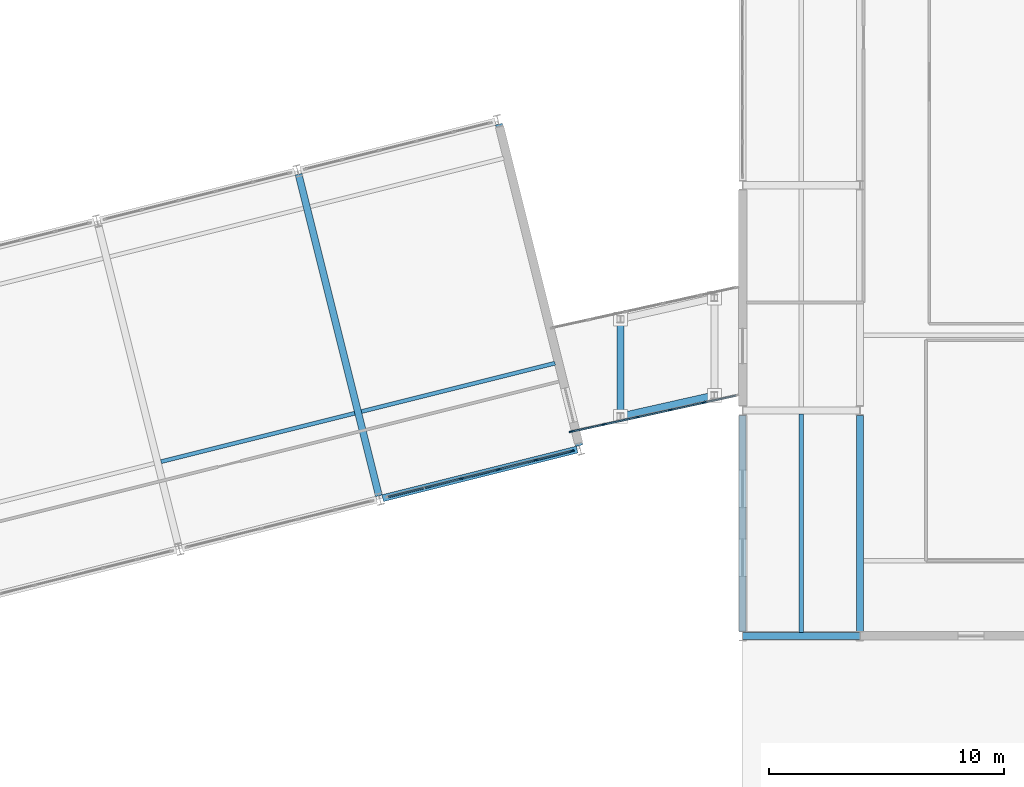
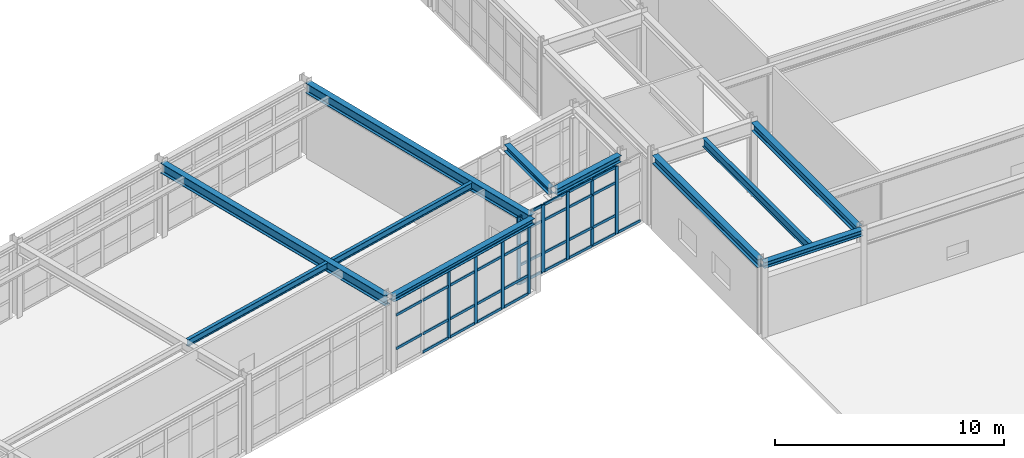
# One storey, part 23 of 88: 45 members, 11 beams, 2 elements without a shape of their own.
"""IFC4 building model written with IfcOpenShell, lengths in metres."""

from ifc_helpers import new_model, si_unit, direction, frame, origin, origin_2d, place, context, subcontext, project, spatial, rectangle, i_section, extrude, material, layer, layer_set, material_profile, profile_set, type_object, element, aggregate, save


model = new_model("IFC4")

# Units and contexts
model_context = context("Model", 3, precision=1e-05, world=origin(), true_north=direction((0.0, 1.0)))
body_context = subcontext(model_context, "Body", "Model", "MODEL_VIEW")
ifc_project = project(units=[si_unit("LENGTHUNIT", "METRE"), si_unit("AREAUNIT", "SQUARE_METRE"), si_unit("VOLUMEUNIT", "CUBIC_METRE"), si_unit("PLANEANGLEUNIT", "RADIAN"), si_unit("MASSUNIT", "GRAM", prefix="KILO")], contexts=[model_context])

# Site, building, storey
site_placement = place(None, origin())
site = spatial("IfcSite", under=ifc_project, at=site_placement, CompositionType="ELEMENT")
building_placement = place(site_placement, origin())
building = spatial("IfcBuilding", under=site, at=building_placement, Name="Nordkorset Police Headquarters", CompositionType="ELEMENT")
storey_placement = place(building_placement, frame((0.0, 0.0, 9.449951171875)))
storey = spatial("IfcBuildingStorey", under=building, at=storey_placement, Name="L02", CompositionType="ELEMENT", Elevation=9.449951171875)

# Beams
ifc_material_1 = material(Name="Steel S355J2", Category="steel")
ifc_material_profile_1 = material_profile(ifc_material_1, i_section(OverallWidth=0.169921875, OverallDepth=0.360107421875, WebThickness=0.008056640625, FlangeThickness=0.0126953125, FilletRadius=0.01806640625, at=origin_2d()), Name="IPE 360")
ifc_profile_set_1 = profile_set([ifc_material_profile_1], Name="Steel S355J2")
beam_type_1 = type_object("IfcBeamType", Name="Beam_IPE_360", PredefinedType="BEAM", material=ifc_profile_set_1)
for number, where, z_axis, x_axis, name in (
    (1, (61.629638671875, 55.42431640625, 3.7900390625), (0.970142500145, 0.242535625036, 0.0), (-0.242535625036, 0.970142500145, 0.0), "Splayed Wing Secondary Beam L02 4-1"),
    (2, (70.166748046875, 57.55859375, 3.7900390625), (0.970144189653, 0.242528866904, 0.0), (-0.242528866904, 0.970144189653, 0.0), "Splayed Wing Secondary Beam L02 5-1"),
):
    element("IfcBeam", number, at=place(storey_placement, frame(where, z_axis=z_axis, x_axis=x_axis)), inside=storey, type_object=beam_type_1, Name=name, PredefinedType="BEAM", context=body_context, shape_type="SweptSolid", body=[
        extrude(i_section(OverallWidth=0.169921875, OverallDepth=0.360107421875, WebThickness=0.008056640625, FlangeThickness=0.0126953125, FilletRadius=0.01806640625, at=origin_2d()), origin(), (0.0, 0.0, 1.0), 8.5),
    ])
ifc_material_2 = material(Name="Steel S355J2", Category="steel")
ifc_material_profile_2 = material_profile(ifc_material_2, i_section(OverallWidth=0.18994140625, OverallDepth=0.449951171875, WebThickness=0.009521484375, FlangeThickness=0.0146484375, FilletRadius=0.02099609375, at=origin_2d()), Name="IPE 450")
ifc_profile_set_2 = profile_set([ifc_material_profile_2], Name="Steel S355J2")
beam_type_2 = type_object("IfcBeamType", Name="Beam_IPE_450", PredefinedType="BEAM", material=ifc_profile_set_2)
beam_1_placement = place(storey_placement, frame((88.89990234375, 48.14990234375, 3.739990234375), z_axis=(0.0, 1.0, 0.0), x_axis=(-1.0, 0.0, 0.0)))
element("IfcBeam", 3, at=beam_1_placement, inside=storey, type_object=beam_type_2, Name="Composite Floor Beam V5 L02 0-0-1", PredefinedType="BEAM", context=body_context, shape_type="SweptSolid", body=[
    extrude(i_section(OverallWidth=0.18994140625, OverallDepth=0.449951171875, WebThickness=0.009521484375, FlangeThickness=0.0146484375, FilletRadius=0.02099609375, at=origin_2d()), origin(), (0.0, 0.0, 1.0), 9.300048828125),
])

# Curtain wall, members
ifc_material_3 = material(Name="Aluminium alloy AW-6060", Category="aluminium")
ifc_layer_1 = layer(ifc_material_3, 0.179931640625, Name="Aluminium alloy AW-6060")
ifc_layer_set_1 = layer_set([ifc_layer_1], Name="Aluminium alloy AW-6060")
curtain_wall_type_1 = type_object("IfcCurtainWallType", Name="CW_Unit_816x364", PredefinedType="USERDEFINED", material=ifc_layer_set_1)
curtain_wall_1_placement = place(storey_placement, origin())
curtain_wall_1 = element("IfcCurtainWall", 4, at=curtain_wall_1_placement, inside=storey, type_object=curtain_wall_type_1, Name="Unitised Curtain Wall L02 V4S-5", ObjectType="UNITISED CURTAIN WALL", PredefinedType="USERDEFINED")
ifc_material_4 = material(Name="Aluminium alloy AW-6060", Category="aluminium")
ifc_material_profile_3 = material_profile(ifc_material_4, rectangle(XDim=0.06494140625, YDim=0.179931640625, at=origin_2d()), Name="ALU MULL 65x180")
ifc_profile_set_3 = profile_set([ifc_material_profile_3], Name="Aluminium alloy AW-6060")
member_type_1 = type_object("IfcMemberType", Name="CW_Mullion_65x180", PredefinedType="MULLION", material=ifc_profile_set_3)
member_1_placement = place(storey_placement, frame((74.419921875, 54.705078125, 0.0), z_axis=(0.0, 0.0, 1.0), x_axis=(-0.242535625038, 0.970142500145, 0.0)))
member_1 = element("IfcMember", 5, at=member_1_placement, type_object=member_type_1, Name="CW-64 mullion 3", PredefinedType="MULLION", context=body_context, shape_type="SweptSolid", body=[
    extrude(rectangle(XDim=0.06494140625, YDim=0.179931640625, at=origin_2d()), origin(), (0.0, 0.0, 1.0), 3.64013671875),
])
member_2_placement = place(storey_placement, frame((76.003173828125, 55.100830078125, 0.0), z_axis=(0.0, 0.0, 1.0), x_axis=(-0.242535625038, 0.970142500145, 0.0)))
member_2 = element("IfcMember", 6, at=member_2_placement, type_object=member_type_1, Name="CW-64 mullion 4", PredefinedType="MULLION", context=body_context, shape_type="SweptSolid", body=[
    extrude(rectangle(XDim=0.06494140625, YDim=0.179931640625, at=origin_2d()), origin(), (0.0, 0.0, 1.0), 3.64013671875),
])
member_3_placement = place(storey_placement, frame((77.58642578125, 55.49658203125, 0.0), z_axis=(0.0, 0.0, 1.0), x_axis=(-0.242535625038, 0.970142500145, 0.0)))
member_3 = element("IfcMember", 7, at=member_3_placement, type_object=member_type_1, Name="CW-64 mullion 5", PredefinedType="MULLION", context=body_context, shape_type="SweptSolid", body=[
    extrude(rectangle(XDim=0.06494140625, YDim=0.179931640625, at=origin_2d()), origin(), (0.0, 0.0, 1.0), 3.64013671875),
])
member_4_placement = place(storey_placement, frame((79.13818359375, 55.884521484375, 0.0), z_axis=(0.0, 0.0, 1.0), x_axis=(-0.242535625038, 0.970142500145, 0.0)))
member_4 = element("IfcMember", 8, at=member_4_placement, type_object=member_type_1, Name="CW-64 mullion 6", PredefinedType="MULLION", context=body_context, shape_type="SweptSolid", body=[
    extrude(rectangle(XDim=0.06494140625, YDim=0.179931640625, at=origin_2d()), origin(), (0.0, 0.0, 1.0), 3.64013671875),
])

ifc_material_5 = material(Name="Aluminium alloy AW-6060", Category="aluminium")
ifc_layer_2 = layer(ifc_material_5, 0.179931640625, Name="Aluminium alloy AW-6060")
ifc_layer_set_2 = layer_set([ifc_layer_2], Name="Aluminium alloy AW-6060")
curtain_wall_type_2 = type_object("IfcCurtainWallType", Name="CW_Unit_727x360", PredefinedType="USERDEFINED", material=ifc_layer_set_2)
curtain_wall_2_placement = place(storey_placement, origin())
curtain_wall_2 = element("IfcCurtainWall", 9, at=curtain_wall_2_placement, inside=storey, type_object=curtain_wall_type_2, Name="Unitised Curtain Wall L02 BRGE-S", ObjectType="UNITISED CURTAIN WALL", PredefinedType="USERDEFINED")
member_5_placement = place(storey_placement, frame((79.107666015625, 56.705322265625, 0.0), z_axis=(0.0, 0.0, 1.0), x_axis=(-0.213736608425, 0.976891325695, 0.0)))
member_5 = element("IfcMember", 10, at=member_5_placement, type_object=member_type_1, Name="CW-22 mullion 1", PredefinedType="MULLION", context=body_context, shape_type="SweptSolid", body=[
    extrude(rectangle(XDim=0.06494140625, YDim=0.179931640625, at=origin_2d()), origin(), (0.0, 0.0, 1.0), 3.594970703125),
])
member_6_placement = place(storey_placement, frame((80.49560546875, 57.009033203125, 0.0), z_axis=(0.0, 0.0, 1.0), x_axis=(-0.213736608425, 0.976891325695, 0.0)))
member_6 = element("IfcMember", 11, at=member_6_placement, type_object=member_type_1, Name="CW-22 mullion 2", PredefinedType="MULLION", context=body_context, shape_type="SweptSolid", body=[
    extrude(rectangle(XDim=0.06494140625, YDim=0.179931640625, at=origin_2d()), origin(), (0.0, 0.0, 1.0), 3.594970703125),
])
member_7_placement = place(storey_placement, frame((81.915283203125, 57.319580078125, 0.0), z_axis=(0.0, 0.0, 1.0), x_axis=(-0.213736608425, 0.976891325695, 0.0)))
member_7 = element("IfcMember", 12, at=member_7_placement, type_object=member_type_1, Name="CW-22 mullion 3", PredefinedType="MULLION", context=body_context, shape_type="SweptSolid", body=[
    extrude(rectangle(XDim=0.06494140625, YDim=0.179931640625, at=origin_2d()), origin(), (0.0, 0.0, 1.0), 3.594970703125),
])
member_8_placement = place(storey_placement, frame((83.334716796875, 57.63037109375, 0.0), z_axis=(0.0, 0.0, 1.0), x_axis=(-0.213736608425, 0.976891325695, 0.0)))
member_8 = element("IfcMember", 13, at=member_8_placement, type_object=member_type_1, Name="CW-22 mullion 4", PredefinedType="MULLION", context=body_context, shape_type="SweptSolid", body=[
    extrude(rectangle(XDim=0.06494140625, YDim=0.179931640625, at=origin_2d()), origin(), (0.0, 0.0, 1.0), 3.594970703125),
])
member_9_placement = place(storey_placement, frame((84.75439453125, 57.94091796875, 0.0), z_axis=(0.0, 0.0, 1.0), x_axis=(-0.213736608425, 0.976891325695, 0.0)))
member_9 = element("IfcMember", 14, at=member_9_placement, type_object=member_type_1, Name="CW-22 mullion 5", PredefinedType="MULLION", context=body_context, shape_type="SweptSolid", body=[
    extrude(rectangle(XDim=0.06494140625, YDim=0.179931640625, at=origin_2d()), origin(), (0.0, 0.0, 1.0), 3.594970703125),
])

# Member
ifc_material_6 = material(Name="Aluminium alloy AW-6060", Category="aluminium")
ifc_material_profile_4 = material_profile(ifc_material_6, rectangle(XDim=0.06494140625, YDim=0.139892578125, at=origin_2d()), Name="ALU TRAN 65x140")
ifc_profile_set_4 = profile_set([ifc_material_profile_4], Name="Aluminium alloy AW-6060")
member_type_2 = type_object("IfcMemberType", Name="CW_Transom_65x140", PredefinedType="USERDEFINED", material=ifc_profile_set_4)
member_10_placement = place(storey_placement, frame((71.31640625, 53.92919921875, 1.0), z_axis=(0.970161214313, 0.242460756086, 0.0), x_axis=(-0.242460756086, 0.970161214313, 0.0)))
member_10 = element("IfcMember", 15, at=member_10_placement, type_object=member_type_2, Name="CW-64 transom 1.2", ObjectType="TRANSOM", PredefinedType="USERDEFINED", context=body_context, shape_type="SweptSolid", body=[
    extrude(rectangle(XDim=0.06494140625, YDim=0.139892578125, at=origin_2d()), origin(), (0.0, 0.0, 1.0), 1.53466796875),
])

member_11_placement = place(storey_placement, frame((71.31640625, 53.92919921875, 2.7900390625), z_axis=(0.970161214313, 0.242460756086, 0.0), x_axis=(-0.242460756086, 0.970161214313, 0.0)))
member_11 = element("IfcMember", 16, at=member_11_placement, type_object=member_type_2, Name="CW-64 transom 1.3", ObjectType="TRANSOM", PredefinedType="USERDEFINED", context=body_context, shape_type="SweptSolid", body=[
    extrude(rectangle(XDim=0.06494140625, YDim=0.139892578125, at=origin_2d()), origin(), (0.0, 0.0, 1.0), 1.53466796875),
])

member_12_placement = place(storey_placement, frame((71.31640625, 53.92919921875, 3.607666015625), z_axis=(0.970161214313, 0.242460756086, 0.0), x_axis=(-0.242460756086, 0.970161214313, 0.0)))
member_12 = element("IfcMember", 17, at=member_12_placement, type_object=member_type_2, Name="CW-64 transom 1.4", ObjectType="TRANSOM", PredefinedType="USERDEFINED", context=body_context, shape_type="SweptSolid", body=[
    extrude(rectangle(XDim=0.06494140625, YDim=0.139892578125, at=origin_2d()), origin(), (0.0, 0.0, 1.0), 1.53466796875),
])

member_13_placement = place(storey_placement, frame((72.8681640625, 54.317138671875, 0.032470703125), z_axis=(0.970169988125, 0.242425646623, 0.0), x_axis=(-0.242425646623, 0.970169988125, 0.0)))
member_13 = element("IfcMember", 18, at=member_13_placement, type_object=member_type_2, Name="CW-64 transom 2.1", ObjectType="TRANSOM", PredefinedType="USERDEFINED", context=body_context, shape_type="SweptSolid", body=[
    extrude(rectangle(XDim=0.06494140625, YDim=0.139892578125, at=origin_2d()), origin(), (0.0, 0.0, 1.0), 1.56689453125),
])

member_14_placement = place(storey_placement, frame((72.8681640625, 54.317138671875, 1.0), z_axis=(0.970169988125, 0.242425646623, 0.0), x_axis=(-0.242425646623, 0.970169988125, 0.0)))
member_14 = element("IfcMember", 19, at=member_14_placement, type_object=member_type_2, Name="CW-64 transom 2.2", ObjectType="TRANSOM", PredefinedType="USERDEFINED", context=body_context, shape_type="SweptSolid", body=[
    extrude(rectangle(XDim=0.06494140625, YDim=0.139892578125, at=origin_2d()), origin(), (0.0, 0.0, 1.0), 1.56689453125),
])

member_15_placement = place(storey_placement, frame((72.8681640625, 54.317138671875, 2.7900390625), z_axis=(0.970169988125, 0.242425646623, 0.0), x_axis=(-0.242425646623, 0.970169988125, 0.0)))
member_15 = element("IfcMember", 20, at=member_15_placement, type_object=member_type_2, Name="CW-64 transom 2.3", ObjectType="TRANSOM", PredefinedType="USERDEFINED", context=body_context, shape_type="SweptSolid", body=[
    extrude(rectangle(XDim=0.06494140625, YDim=0.139892578125, at=origin_2d()), origin(), (0.0, 0.0, 1.0), 1.56689453125),
])

member_16_placement = place(storey_placement, frame((72.8681640625, 54.317138671875, 3.607666015625), z_axis=(0.970169988125, 0.242425646623, 0.0), x_axis=(-0.242425646623, 0.970169988125, 0.0)))
member_16 = element("IfcMember", 21, at=member_16_placement, type_object=member_type_2, Name="CW-64 transom 2.4", ObjectType="TRANSOM", PredefinedType="USERDEFINED", context=body_context, shape_type="SweptSolid", body=[
    extrude(rectangle(XDim=0.06494140625, YDim=0.139892578125, at=origin_2d()), origin(), (0.0, 0.0, 1.0), 1.56689453125),
])

member_17_placement = place(storey_placement, frame((74.451416015625, 54.712890625, 0.032470703125), z_axis=(0.970133335061, 0.24257228243, 0.0), x_axis=(-0.24257228243, 0.970133335061, 0.0)))
member_17 = element("IfcMember", 22, at=member_17_placement, type_object=member_type_2, Name="CW-64 transom 3.1", ObjectType="TRANSOM", PredefinedType="USERDEFINED", context=body_context, shape_type="SweptSolid", body=[
    extrude(rectangle(XDim=0.06494140625, YDim=0.139892578125, at=origin_2d()), origin(), (0.0, 0.0, 1.0), 1.567138671875),
])

member_18_placement = place(storey_placement, frame((74.451416015625, 54.712890625, 1.0), z_axis=(0.970133335061, 0.24257228243, 0.0), x_axis=(-0.24257228243, 0.970133335061, 0.0)))
member_18 = element("IfcMember", 23, at=member_18_placement, type_object=member_type_2, Name="CW-64 transom 3.2", ObjectType="TRANSOM", PredefinedType="USERDEFINED", context=body_context, shape_type="SweptSolid", body=[
    extrude(rectangle(XDim=0.06494140625, YDim=0.139892578125, at=origin_2d()), origin(), (0.0, 0.0, 1.0), 1.567138671875),
])

member_19_placement = place(storey_placement, frame((74.451416015625, 54.712890625, 2.7900390625), z_axis=(0.970133335061, 0.24257228243, 0.0), x_axis=(-0.24257228243, 0.970133335061, 0.0)))
member_19 = element("IfcMember", 24, at=member_19_placement, type_object=member_type_2, Name="CW-64 transom 3.3", ObjectType="TRANSOM", PredefinedType="USERDEFINED", context=body_context, shape_type="SweptSolid", body=[
    extrude(rectangle(XDim=0.06494140625, YDim=0.139892578125, at=origin_2d()), origin(), (0.0, 0.0, 1.0), 1.567138671875),
])

member_20_placement = place(storey_placement, frame((74.451416015625, 54.712890625, 3.607666015625), z_axis=(0.970133335061, 0.24257228243, 0.0), x_axis=(-0.24257228243, 0.970133335061, 0.0)))
member_20 = element("IfcMember", 25, at=member_20_placement, type_object=member_type_2, Name="CW-64 transom 3.4", ObjectType="TRANSOM", PredefinedType="USERDEFINED", context=body_context, shape_type="SweptSolid", body=[
    extrude(rectangle(XDim=0.06494140625, YDim=0.139892578125, at=origin_2d()), origin(), (0.0, 0.0, 1.0), 1.567138671875),
])

member_21_placement = place(storey_placement, frame((76.03466796875, 55.108642578125, 0.032470703125), z_axis=(0.970133335061, 0.24257228243, 0.0), x_axis=(-0.24257228243, 0.970133335061, 0.0)))
member_21 = element("IfcMember", 26, at=member_21_placement, type_object=member_type_2, Name="CW-64 transom 4.1", ObjectType="TRANSOM", PredefinedType="USERDEFINED", context=body_context, shape_type="SweptSolid", body=[
    extrude(rectangle(XDim=0.06494140625, YDim=0.139892578125, at=origin_2d()), origin(), (0.0, 0.0, 1.0), 1.567138671875),
])

member_22_placement = place(storey_placement, frame((76.03466796875, 55.108642578125, 1.0), z_axis=(0.970133335061, 0.24257228243, 0.0), x_axis=(-0.24257228243, 0.970133335061, 0.0)))
member_22 = element("IfcMember", 27, at=member_22_placement, type_object=member_type_2, Name="CW-64 transom 4.2", ObjectType="TRANSOM", PredefinedType="USERDEFINED", context=body_context, shape_type="SweptSolid", body=[
    extrude(rectangle(XDim=0.06494140625, YDim=0.139892578125, at=origin_2d()), origin(), (0.0, 0.0, 1.0), 1.567138671875),
])

member_23_placement = place(storey_placement, frame((76.03466796875, 55.108642578125, 2.7900390625), z_axis=(0.970133335061, 0.24257228243, 0.0), x_axis=(-0.24257228243, 0.970133335061, 0.0)))
member_23 = element("IfcMember", 28, at=member_23_placement, type_object=member_type_2, Name="CW-64 transom 4.3", ObjectType="TRANSOM", PredefinedType="USERDEFINED", context=body_context, shape_type="SweptSolid", body=[
    extrude(rectangle(XDim=0.06494140625, YDim=0.139892578125, at=origin_2d()), origin(), (0.0, 0.0, 1.0), 1.567138671875),
])

member_24_placement = place(storey_placement, frame((76.03466796875, 55.108642578125, 3.607666015625), z_axis=(0.970133335061, 0.24257228243, 0.0), x_axis=(-0.24257228243, 0.970133335061, 0.0)))
member_24 = element("IfcMember", 29, at=member_24_placement, type_object=member_type_2, Name="CW-64 transom 4.4", ObjectType="TRANSOM", PredefinedType="USERDEFINED", context=body_context, shape_type="SweptSolid", body=[
    extrude(rectangle(XDim=0.06494140625, YDim=0.139892578125, at=origin_2d()), origin(), (0.0, 0.0, 1.0), 1.567138671875),
])

member_25_placement = place(storey_placement, frame((77.617919921875, 55.50439453125, 0.032470703125), z_axis=(0.970123780922, 0.242610489653, 0.0), x_axis=(-0.242610489653, 0.970123780922, 0.0)))
member_25 = element("IfcMember", 30, at=member_25_placement, type_object=member_type_2, Name="CW-64 transom 5.1", ObjectType="TRANSOM", PredefinedType="USERDEFINED", context=body_context, shape_type="SweptSolid", body=[
    extrude(rectangle(XDim=0.06494140625, YDim=0.139892578125, at=origin_2d()), origin(), (0.0, 0.0, 1.0), 1.53466796875),
])

member_26_placement = place(storey_placement, frame((77.617919921875, 55.50439453125, 1.0), z_axis=(0.970123780922, 0.242610489653, 0.0), x_axis=(-0.242610489653, 0.970123780922, 0.0)))
member_26 = element("IfcMember", 31, at=member_26_placement, type_object=member_type_2, Name="CW-64 transom 5.2", ObjectType="TRANSOM", PredefinedType="USERDEFINED", context=body_context, shape_type="SweptSolid", body=[
    extrude(rectangle(XDim=0.06494140625, YDim=0.139892578125, at=origin_2d()), origin(), (0.0, 0.0, 1.0), 1.53466796875),
])

member_27_placement = place(storey_placement, frame((77.617919921875, 55.50439453125, 2.7900390625), z_axis=(0.970123780922, 0.242610489653, 0.0), x_axis=(-0.242610489653, 0.970123780922, 0.0)))
member_27 = element("IfcMember", 32, at=member_27_placement, type_object=member_type_2, Name="CW-64 transom 5.3", ObjectType="TRANSOM", PredefinedType="USERDEFINED", context=body_context, shape_type="SweptSolid", body=[
    extrude(rectangle(XDim=0.06494140625, YDim=0.139892578125, at=origin_2d()), origin(), (0.0, 0.0, 1.0), 1.53466796875),
])

member_28_placement = place(storey_placement, frame((77.617919921875, 55.50439453125, 3.607666015625), z_axis=(0.970123780922, 0.242610489653, 0.0), x_axis=(-0.242610489653, 0.970123780922, 0.0)))
member_28 = element("IfcMember", 33, at=member_28_placement, type_object=member_type_2, Name="CW-64 transom 5.4", ObjectType="TRANSOM", PredefinedType="USERDEFINED", context=body_context, shape_type="SweptSolid", body=[
    extrude(rectangle(XDim=0.06494140625, YDim=0.139892578125, at=origin_2d()), origin(), (0.0, 0.0, 1.0), 1.53466796875),
])

aggregate(curtain_wall_1, [member_1, member_2, member_3, member_4, member_10, member_11, member_12, member_13, member_14, member_15, member_16, member_17, member_18, member_19, member_20, member_21, member_22, member_23, member_24, member_25, member_26, member_27, member_28])

member_29_placement = place(storey_placement, frame((79.139404296875, 56.71240234375, 0.032470703125), z_axis=(0.976889443486, 0.213745210953, 0.0), x_axis=(-0.213745210953, 0.976889443486, 0.0)))
member_29 = element("IfcMember", 34, at=member_29_placement, type_object=member_type_2, Name="CW-22 transom 1.1", ObjectType="TRANSOM", PredefinedType="USERDEFINED", context=body_context, shape_type="SweptSolid", body=[
    extrude(rectangle(XDim=0.06494140625, YDim=0.139892578125, at=origin_2d()), origin(), (0.0, 0.0, 1.0), 1.355712890625),
])

member_30_placement = place(storey_placement, frame((79.139404296875, 56.71240234375, 1.0), z_axis=(0.976889443486, 0.213745210953, 0.0), x_axis=(-0.213745210953, 0.976889443486, 0.0)))
member_30 = element("IfcMember", 35, at=member_30_placement, type_object=member_type_2, Name="CW-22 transom 1.2", ObjectType="TRANSOM", PredefinedType="USERDEFINED", context=body_context, shape_type="SweptSolid", body=[
    extrude(rectangle(XDim=0.06494140625, YDim=0.139892578125, at=origin_2d()), origin(), (0.0, 0.0, 1.0), 1.355712890625),
])

member_31_placement = place(storey_placement, frame((79.139404296875, 56.71240234375, 2.7451171875), z_axis=(0.976889443486, 0.213745210953, 0.0), x_axis=(-0.213745210953, 0.976889443486, 0.0)))
member_31 = element("IfcMember", 36, at=member_31_placement, type_object=member_type_2, Name="CW-22 transom 1.3", ObjectType="TRANSOM", PredefinedType="USERDEFINED", context=body_context, shape_type="SweptSolid", body=[
    extrude(rectangle(XDim=0.06494140625, YDim=0.139892578125, at=origin_2d()), origin(), (0.0, 0.0, 1.0), 1.355712890625),
])

member_32_placement = place(storey_placement, frame((79.139404296875, 56.71240234375, 3.5625), z_axis=(0.976889443486, 0.213745210953, 0.0), x_axis=(-0.213745210953, 0.976889443486, 0.0)))
member_32 = element("IfcMember", 37, at=member_32_placement, type_object=member_type_2, Name="CW-22 transom 1.4", ObjectType="TRANSOM", PredefinedType="USERDEFINED", context=body_context, shape_type="SweptSolid", body=[
    extrude(rectangle(XDim=0.06494140625, YDim=0.139892578125, at=origin_2d()), origin(), (0.0, 0.0, 1.0), 1.355712890625),
])

member_33_placement = place(storey_placement, frame((80.52734375, 57.01611328125, 0.032470703125), z_axis=(0.976897722399, 0.213707369952, 0.0), x_axis=(-0.213707369952, 0.976897722399, 0.0)))
member_33 = element("IfcMember", 38, at=member_33_placement, type_object=member_type_2, Name="CW-22 transom 2.1", ObjectType="TRANSOM", PredefinedType="USERDEFINED", context=body_context, shape_type="SweptSolid", body=[
    extrude(rectangle(XDim=0.06494140625, YDim=0.139892578125, at=origin_2d()), origin(), (0.0, 0.0, 1.0), 1.387939453125),
])

member_34_placement = place(storey_placement, frame((80.52734375, 57.01611328125, 1.0), z_axis=(0.976897722399, 0.213707369952, 0.0), x_axis=(-0.213707369952, 0.976897722399, 0.0)))
member_34 = element("IfcMember", 39, at=member_34_placement, type_object=member_type_2, Name="CW-22 transom 2.2", ObjectType="TRANSOM", PredefinedType="USERDEFINED", context=body_context, shape_type="SweptSolid", body=[
    extrude(rectangle(XDim=0.06494140625, YDim=0.139892578125, at=origin_2d()), origin(), (0.0, 0.0, 1.0), 1.387939453125),
])

member_35_placement = place(storey_placement, frame((80.52734375, 57.01611328125, 2.7451171875), z_axis=(0.976897722399, 0.213707369952, 0.0), x_axis=(-0.213707369952, 0.976897722399, 0.0)))
member_35 = element("IfcMember", 40, at=member_35_placement, type_object=member_type_2, Name="CW-22 transom 2.3", ObjectType="TRANSOM", PredefinedType="USERDEFINED", context=body_context, shape_type="SweptSolid", body=[
    extrude(rectangle(XDim=0.06494140625, YDim=0.139892578125, at=origin_2d()), origin(), (0.0, 0.0, 1.0), 1.387939453125),
])

member_36_placement = place(storey_placement, frame((80.52734375, 57.01611328125, 3.5625), z_axis=(0.976897722399, 0.213707369952, 0.0), x_axis=(-0.213707369952, 0.976897722399, 0.0)))
member_36 = element("IfcMember", 41, at=member_36_placement, type_object=member_type_2, Name="CW-22 transom 2.4", ObjectType="TRANSOM", PredefinedType="USERDEFINED", context=body_context, shape_type="SweptSolid", body=[
    extrude(rectangle(XDim=0.06494140625, YDim=0.139892578125, at=origin_2d()), origin(), (0.0, 0.0, 1.0), 1.387939453125),
])

member_37_placement = place(storey_placement, frame((81.947021484375, 57.32666015625, 0.032470703125), z_axis=(0.976897722399, 0.213707369952, 0.0), x_axis=(-0.213707369952, 0.976897722399, 0.0)))
member_37 = element("IfcMember", 42, at=member_37_placement, type_object=member_type_2, Name="CW-22 transom 3.1", ObjectType="TRANSOM", PredefinedType="USERDEFINED", context=body_context, shape_type="SweptSolid", body=[
    extrude(rectangle(XDim=0.06494140625, YDim=0.139892578125, at=origin_2d()), origin(), (0.0, 0.0, 1.0), 1.387939453125),
])

member_38_placement = place(storey_placement, frame((81.947021484375, 57.32666015625, 1.0), z_axis=(0.976897722399, 0.213707369952, 0.0), x_axis=(-0.213707369952, 0.976897722399, 0.0)))
member_38 = element("IfcMember", 43, at=member_38_placement, type_object=member_type_2, Name="CW-22 transom 3.2", ObjectType="TRANSOM", PredefinedType="USERDEFINED", context=body_context, shape_type="SweptSolid", body=[
    extrude(rectangle(XDim=0.06494140625, YDim=0.139892578125, at=origin_2d()), origin(), (0.0, 0.0, 1.0), 1.387939453125),
])

member_39_placement = place(storey_placement, frame((81.947021484375, 57.32666015625, 2.7451171875), z_axis=(0.976897722399, 0.213707369952, 0.0), x_axis=(-0.213707369952, 0.976897722399, 0.0)))
member_39 = element("IfcMember", 44, at=member_39_placement, type_object=member_type_2, Name="CW-22 transom 3.3", ObjectType="TRANSOM", PredefinedType="USERDEFINED", context=body_context, shape_type="SweptSolid", body=[
    extrude(rectangle(XDim=0.06494140625, YDim=0.139892578125, at=origin_2d()), origin(), (0.0, 0.0, 1.0), 1.387939453125),
])

member_40_placement = place(storey_placement, frame((81.947021484375, 57.32666015625, 3.5625), z_axis=(0.976897722399, 0.213707369952, 0.0), x_axis=(-0.213707369952, 0.976897722399, 0.0)))
member_40 = element("IfcMember", 45, at=member_40_placement, type_object=member_type_2, Name="CW-22 transom 3.4", ObjectType="TRANSOM", PredefinedType="USERDEFINED", context=body_context, shape_type="SweptSolid", body=[
    extrude(rectangle(XDim=0.06494140625, YDim=0.139892578125, at=origin_2d()), origin(), (0.0, 0.0, 1.0), 1.387939453125),
])

member_41_placement = place(storey_placement, frame((83.36669921875, 57.63720703125, 0.032470703125), z_axis=(0.976860988586, 0.213875218243, 0.0), x_axis=(-0.213875218243, 0.976860988586, 0.0)))
member_41 = element("IfcMember", 46, at=member_41_placement, type_object=member_type_2, Name="CW-22 transom 4.1", ObjectType="TRANSOM", PredefinedType="USERDEFINED", context=body_context, shape_type="SweptSolid", body=[
    extrude(rectangle(XDim=0.06494140625, YDim=0.139892578125, at=origin_2d()), origin(), (0.0, 0.0, 1.0), 1.38818359375),
])

member_42_placement = place(storey_placement, frame((83.36669921875, 57.63720703125, 1.0), z_axis=(0.976860988586, 0.213875218243, 0.0), x_axis=(-0.213875218243, 0.976860988586, 0.0)))
member_42 = element("IfcMember", 47, at=member_42_placement, type_object=member_type_2, Name="CW-22 transom 4.2", ObjectType="TRANSOM", PredefinedType="USERDEFINED", context=body_context, shape_type="SweptSolid", body=[
    extrude(rectangle(XDim=0.06494140625, YDim=0.139892578125, at=origin_2d()), origin(), (0.0, 0.0, 1.0), 1.38818359375),
])

member_43_placement = place(storey_placement, frame((83.36669921875, 57.63720703125, 2.7451171875), z_axis=(0.976860988586, 0.213875218243, 0.0), x_axis=(-0.213875218243, 0.976860988586, 0.0)))
member_43 = element("IfcMember", 48, at=member_43_placement, type_object=member_type_2, Name="CW-22 transom 4.3", ObjectType="TRANSOM", PredefinedType="USERDEFINED", context=body_context, shape_type="SweptSolid", body=[
    extrude(rectangle(XDim=0.06494140625, YDim=0.139892578125, at=origin_2d()), origin(), (0.0, 0.0, 1.0), 1.38818359375),
])

member_44_placement = place(storey_placement, frame((83.36669921875, 57.63720703125, 3.5625), z_axis=(0.976860988586, 0.213875218243, 0.0), x_axis=(-0.213875218243, 0.976860988586, 0.0)))
member_44 = element("IfcMember", 49, at=member_44_placement, type_object=member_type_2, Name="CW-22 transom 4.4", ObjectType="TRANSOM", PredefinedType="USERDEFINED", context=body_context, shape_type="SweptSolid", body=[
    extrude(rectangle(XDim=0.06494140625, YDim=0.139892578125, at=origin_2d()), origin(), (0.0, 0.0, 1.0), 1.38818359375),
])

member_45_placement = place(storey_placement, frame((84.7861328125, 57.94775390625, 0.032470703125), z_axis=(0.976889443486, 0.213745210953, 0.0), x_axis=(-0.213745210953, 0.976889443486, 0.0)))
member_45 = element("IfcMember", 50, at=member_45_placement, type_object=member_type_2, Name="CW-22 transom 5.1", ObjectType="TRANSOM", PredefinedType="USERDEFINED", context=body_context, shape_type="SweptSolid", body=[
    extrude(rectangle(XDim=0.06494140625, YDim=0.139892578125, at=origin_2d()), origin(), (0.0, 0.0, 1.0), 1.355712890625),
])

aggregate(curtain_wall_2, [member_5, member_6, member_7, member_8, member_9, member_29, member_30, member_31, member_32, member_33, member_34, member_35, member_36, member_37, member_38, member_39, member_40, member_41, member_42, member_43, member_44, member_45])

# Beams
ifc_material_7 = material(Name="Steel S355J2", Category="steel")
ifc_material_profile_5 = material_profile(ifc_material_7, i_section(OverallWidth=0.300048828125, OverallDepth=0.35009765625, WebThickness=0.010009765625, FlangeThickness=0.017578125, FilletRadius=0.027099609375, at=origin_2d()), Name="HEA 360")
ifc_profile_set_5 = profile_set([ifc_material_profile_5], Name="Steel S355J2")
beam_type_3 = type_object("IfcBeamType", Name="Girder_HEA_360", PredefinedType="USERDEFINED", material=ifc_profile_set_5)
beam_2_placement = place(storey_placement, frame((81.346435546875, 57.3828125, 3.7900390625), z_axis=(0.97560459612, 0.219535127095, 0.0), x_axis=(-0.219535127095, 0.97560459612, 0.0)))
element("IfcBeam", 51, at=beam_2_placement, inside=storey, type_object=beam_type_3, Name="Courtyard Link Bridge Girder BRG-E L02 0", ObjectType="GIRDER", PredefinedType="USERDEFINED", context=body_context, shape_type="SweptSolid", body=[
    extrude(i_section(OverallWidth=0.300048828125, OverallDepth=0.35009765625, WebThickness=0.010009765625, FlangeThickness=0.017578125, FilletRadius=0.027099609375, at=origin_2d()), origin(), (0.0, 0.0, 1.0), 3.800048828125),
])
beam_3_placement = place(storey_placement, frame((81.199951171875, 57.5, 3.7900390625), z_axis=(0.0, 1.0, 0.0), x_axis=(-1.0, 0.0, 0.0)))
element("IfcBeam", 52, at=beam_3_placement, inside=storey, type_object=beam_type_3, Name="Courtyard Link Bridge Transverse Beam BRG-E L02 0", ObjectType="GIRDER", PredefinedType="USERDEFINED", context=body_context, shape_type="SweptSolid", body=[
    extrude(i_section(OverallWidth=0.300048828125, OverallDepth=0.35009765625, WebThickness=0.010009765625, FlangeThickness=0.017578125, FilletRadius=0.027099609375, at=origin_2d()), origin(), (0.0, 0.0, 1.0), 3.85009765625),
])
ifc_material_8 = material(Name="Steel S355J2", Category="steel")
ifc_material_profile_6 = material_profile(ifc_material_8, i_section(OverallWidth=0.300048828125, OverallDepth=0.43994140625, WebThickness=0.011474609375, FlangeThickness=0.02099609375, FilletRadius=0.027099609375, at=origin_2d()), Name="HEA 450")
ifc_profile_set_6 = profile_set([ifc_material_profile_6], Name="Steel S355J2")
beam_type_4 = type_object("IfcBeamType", Name="Girder_HEA_450", PredefinedType="USERDEFINED", material=ifc_profile_set_6)
for number, where, z_axis, x_axis, name in (
    (53, (86.39990234375, 48.199951171875, 3.7451171875), (0.0, 1.0, 0.0), (-1.0, 0.0, 0.0), "Girder V5 L02 GY-0-0"),
    (54, (91.39990234375, 48.199951171875, 3.7451171875), (0.0, 1.0, 0.0), (-1.0, 0.0, 0.0), "Girder V5 L02 GY-1-0"),
):
    element("IfcBeam", number, at=place(storey_placement, frame(where, z_axis=z_axis, x_axis=x_axis)), inside=storey, type_object=beam_type_4, Name=name, ObjectType="GIRDER", PredefinedType="USERDEFINED", context=body_context, shape_type="SweptSolid", body=[
        extrude(i_section(OverallWidth=0.300048828125, OverallDepth=0.43994140625, WebThickness=0.011474609375, FlangeThickness=0.02099609375, FilletRadius=0.027099609375, at=origin_2d()), origin(), (0.0, 0.0, 1.0), 9.199951171875),
    ])
ifc_material_9 = material(Name="Steel S355J2", Category="steel")
ifc_material_profile_7 = material_profile(ifc_material_9, i_section(OverallWidth=0.300048828125, OverallDepth=0.5400390625, WebThickness=0.012451171875, FlangeThickness=0.02392578125, FilletRadius=0.027099609375, at=origin_2d()), Name="HEA 550")
ifc_profile_set_7 = profile_set([ifc_material_profile_7], Name="Steel S355J2")
beam_type_5 = type_object("IfcBeamType", Name="Girder_HEA_550", PredefinedType="USERDEFINED", material=ifc_profile_set_7)
for number, where, z_axis, x_axis, name in (
    (55, (70.908935546875, 53.9716796875, 3.699951171875), (-0.242535625036, 0.970142500145, 0.0), (-0.970142500145, -0.242535625036, 0.0), "Splayed Wing Transverse Girder L02 5"),
    (56, (79.4462890625, 56.10595703125, 3.695068359375), (-0.242535625036, 0.970142500145, 0.0), (-0.970142500145, -0.242535625036, 0.0), "Splayed Wing Transverse Girder L02 6"),
):
    element("IfcBeam", number, at=place(storey_placement, frame(where, z_axis=z_axis, x_axis=x_axis)), inside=storey, type_object=beam_type_5, Name=name, ObjectType="GIRDER", PredefinedType="USERDEFINED", context=body_context, shape_type="SweptSolid", body=[
        extrude(i_section(OverallWidth=0.300048828125, OverallDepth=0.5400390625, WebThickness=0.012451171875, FlangeThickness=0.02392578125, FilletRadius=0.027099609375, at=origin_2d()), origin(), (0.0, 0.0, 1.0), 14.119873046875),
    ])
ifc_material_10 = material(Name="Steel S355J2", Category="steel")
ifc_material_profile_8 = material_profile(ifc_material_10, i_section(OverallWidth=0.300048828125, OverallDepth=0.31005859375, WebThickness=0.009033203125, FlangeThickness=0.015380859375, FilletRadius=0.027099609375, at=origin_2d()), Name="HEA 320")
ifc_profile_set_8 = profile_set([ifc_material_profile_8], Name="Steel S355J2")
beam_type_6 = type_object("IfcBeamType", Name="Spandrel_HEA_320", PredefinedType="SPANDREL", material=ifc_profile_set_8)
beam_4_placement = place(storey_placement, frame((86.40673828125, 48.0, 3.81005859375), z_axis=(1.0, 0.0, 0.0), x_axis=(0.0, 1.0, 0.0)))
element("IfcBeam", 57, at=beam_4_placement, inside=storey, type_object=beam_type_6, Name="Girder V5 L02 GX-0-0", PredefinedType="SPANDREL", context=body_context, shape_type="SweptSolid", body=[
    extrude(i_section(OverallWidth=0.300048828125, OverallDepth=0.31005859375, WebThickness=0.009033203125, FlangeThickness=0.015380859375, FilletRadius=0.027099609375, at=origin_2d()), origin(), (0.0, 0.0, 1.0), 4.986572265625),
])
beam_5_placement = place(storey_placement, frame((71.069091796875, 53.8671875, 3.81494140625), z_axis=(0.970140818463, 0.242542351668, 0.0), x_axis=(-0.242542351668, 0.970140818463, 0.0)))
element("IfcBeam", 58, at=beam_5_placement, inside=storey, type_object=beam_type_6, Name="Splayed Wing Spandrel L02 5-0", PredefinedType="SPANDREL", context=body_context, shape_type="SweptSolid", body=[
    extrude(i_section(OverallWidth=0.300048828125, OverallDepth=0.31005859375, WebThickness=0.009033203125, FlangeThickness=0.015380859375, FilletRadius=0.027099609375, at=origin_2d()), origin(), (0.0, 0.0, 1.0), 8.539794921875),
])

save(model, "model.ifc")
